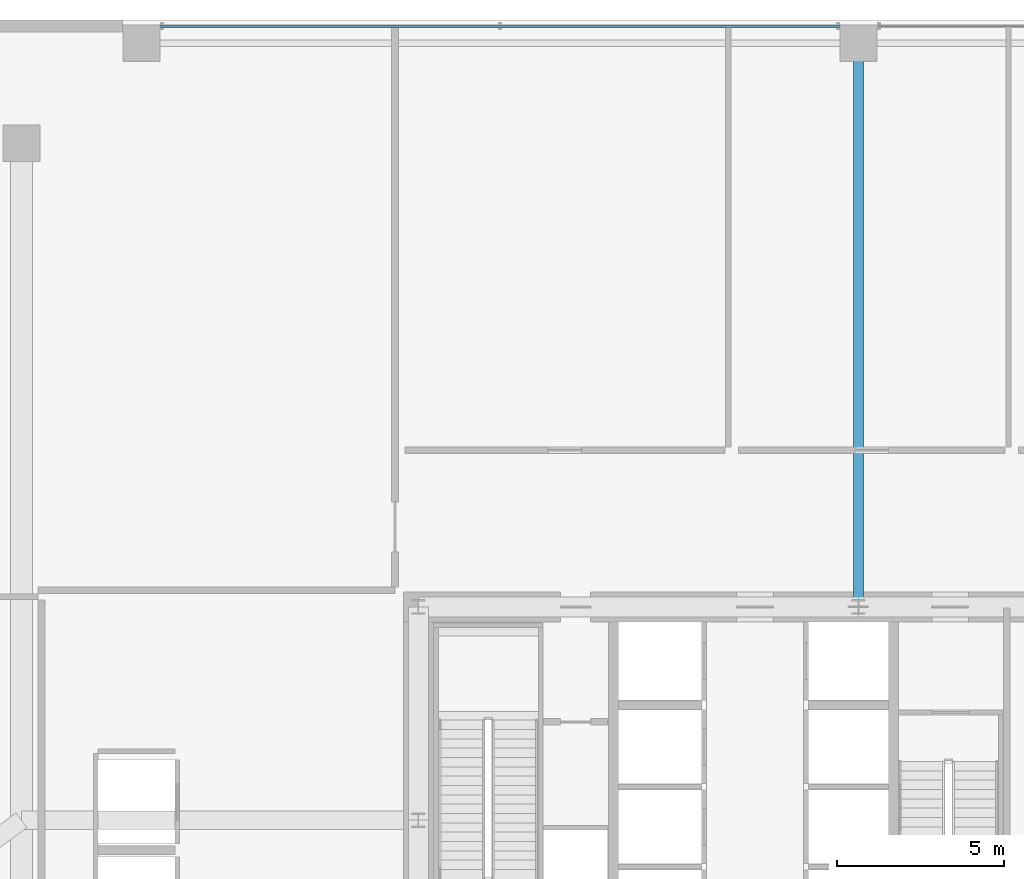
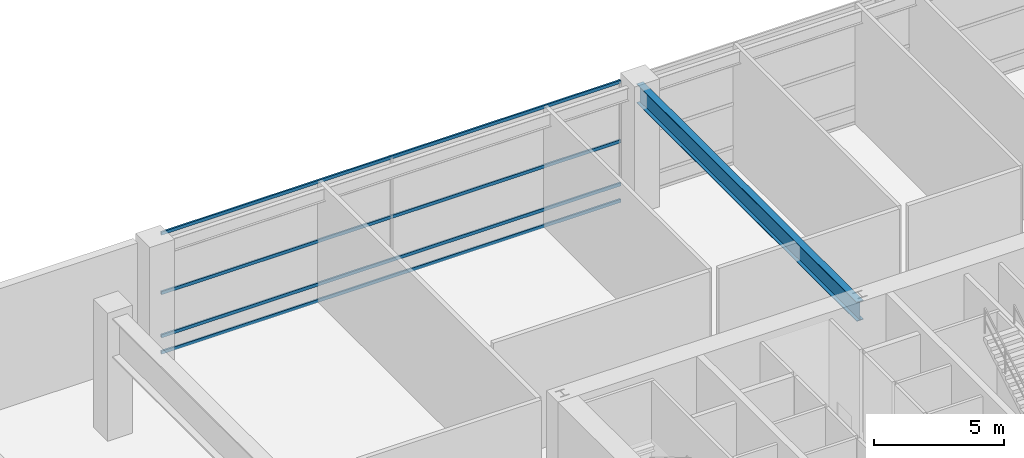
# One storey, part 22 of 39: 4 members, 1 beam, 1 element without a shape of its own.
"""IFC4 building model written with IfcOpenShell, lengths in metres."""

from ifc_helpers import new_model, si_unit, direction, frame, origin, origin_2d, place, context, subcontext, project, spatial, hollow_rectangle, i_section, extrude, source, transform, mapped, material, layer, layer_set, material_profile, profile_set, type_object, element, aggregate, save


model = new_model("IFC4")

# Units and contexts
model_context = context("Model", 3, precision=1e-05, world=origin(), true_north=direction((0.0, 1.0)))
body_context = subcontext(model_context, "Body", "Model", "MODEL_VIEW")
ifc_project = project(units=[si_unit("LENGTHUNIT", "METRE"), si_unit("AREAUNIT", "SQUARE_METRE"), si_unit("VOLUMEUNIT", "CUBIC_METRE"), si_unit("PLANEANGLEUNIT", "RADIAN"), si_unit("MASSUNIT", "GRAM", prefix="KILO"), si_unit("THERMODYNAMICTEMPERATUREUNIT", "KELVIN"), si_unit("POWERUNIT", "WATT")], contexts=[model_context])

# Site, building, storey
site_placement = place(None, origin())
site = spatial("IfcSite", under=ifc_project, at=site_placement, CompositionType="ELEMENT")
building_placement = place(site_placement, origin())
building = spatial("IfcBuilding", under=site, at=building_placement, Name="Yuzanri Waterfront Tower", CompositionType="ELEMENT")
storey_placement = place(building_placement, frame((0.0, 0.0, 19.800048828125)))
storey = spatial("IfcBuildingStorey", under=building, at=storey_placement, Name="L05", CompositionType="ELEMENT", Elevation=19.800048828125)

# Beam
ifc_material_1 = material(Name="Steel Q355B", Category="steel")
ifc_material_profile_1 = material_profile(ifc_material_1, i_section(OverallWidth=0.300048828125, OverallDepth=0.89990234375, WebThickness=0.01611328125, FlangeThickness=0.028076171875, at=origin_2d()), Name="HN 900x300x16x28")
ifc_profile_set_1 = profile_set([ifc_material_profile_1], Name="Steel Q355B")
beam_type = type_object("IfcBeamType", Name="Primary Podium Girder Q355B HN 900x300", PredefinedType="BEAM", material=ifc_profile_set_1)
shared_shape_1 = source(origin(), body_context, "Body", "SweptSolid", [
    extrude(i_section(OverallWidth=0.300048828125, OverallDepth=0.89990234375, WebThickness=0.01611328125, FlangeThickness=0.028076171875, at=origin_2d()), origin(), (0.0, 0.0, 1.0), 16.900146484375),
])
beam_placement = place(storey_placement, frame((37.0, 32.199951171875, 5.22998046875), z_axis=(0.0, 1.0, 0.0), x_axis=(-1.0, 0.0, 0.0)))
element("IfcBeam", 1, at=beam_placement, inside=storey, type_object=beam_type, Name="L05 North Core Link Girder", PredefinedType="BEAM", context=body_context, shape_type="MappedRepresentation", body=[
    mapped(shared_shape_1, transform((0.0, 0.0, 0.0), scale=1.0)),
])

# Curtain wall, members
ifc_material_2 = material(Name="Anodized Architectural Bronze", Category="metal")
ifc_layer = layer(ifc_material_2, 0.159912109375)
ifc_layer_set = layer_set([ifc_layer], Name="Anodized Architectural Bronze")
curtain_wall_type = type_object("IfcCurtainWallType", Name="Anodized Bronze Podium Waterfront Double-Height Unitized Curtain Wall 8400", PredefinedType="NOTDEFINED", material=ifc_layer_set)
curtain_wall_placement = place(storey_placement, origin())
curtain_wall = element("IfcCurtainWall", 2, at=curtain_wall_placement, inside=storey, type_object=curtain_wall_type, Name="L05 Curtain Wall CW-L05-N1", PredefinedType="NOTDEFINED")
ifc_material_3 = material(Name="Anodized Architectural Bronze", Category="metal")
ifc_material_profile_2 = material_profile(ifc_material_3, hollow_rectangle(XDim=0.074951171875, YDim=0.14990234375, WallThickness=0.00390625, at=origin_2d()), Name="CWT 75x150")
ifc_profile_set_2 = profile_set([ifc_material_profile_2], Name="Anodized Architectural Bronze")
member_type = type_object("IfcMemberType", Name="Anodized Bronze Primary Curtain-Wall Transom 75x150", PredefinedType="USERDEFINED", material=ifc_profile_set_2)
shared_shape_2 = source(origin(), body_context, "Body", "SweptSolid", [
    extrude(hollow_rectangle(XDim=0.074951171875, YDim=0.14990234375, WallThickness=0.00390625, at=origin_2d()), origin(), (0.0, 0.0, 1.0), 20.35986328125),
])
member_1_placement = place(storey_placement, frame((16.070068359375, 49.6201171875, 0.050048828125), z_axis=(1.0, 0.0, 0.0), x_axis=(0.0, 1.0, 0.0)))
member_1 = element("IfcMember", 3, at=member_1_placement, type_object=member_type, Name="CW-L05-N1 Transom 1", ObjectType="TRANSOM", PredefinedType="USERDEFINED", context=body_context, shape_type="MappedRepresentation", body=[
    mapped(shared_shape_2, transform((0.0, 0.0, 0.0), scale=1.0)),
])
member_2_placement = place(storey_placement, frame((16.070068359375, 49.6201171875, 0.820068359375), z_axis=(1.0, 0.0, 0.0), x_axis=(0.0, 1.0, 0.0)))
member_2 = element("IfcMember", 4, at=member_2_placement, type_object=member_type, Name="CW-L05-N1 Transom 2", ObjectType="TRANSOM", PredefinedType="USERDEFINED", context=body_context, shape_type="MappedRepresentation", body=[
    mapped(shared_shape_2, transform((0.0, 0.0, 0.0), scale=1.0)),
])
member_3_placement = place(storey_placement, frame((16.070068359375, 49.6201171875, 2.83984375), z_axis=(1.0, 0.0, 0.0), x_axis=(0.0, 1.0, 0.0)))
member_3 = element("IfcMember", 5, at=member_3_placement, type_object=member_type, Name="CW-L05-N1 Transom 3", ObjectType="TRANSOM", PredefinedType="USERDEFINED", context=body_context, shape_type="MappedRepresentation", body=[
    mapped(shared_shape_2, transform((0.0, 0.0, 0.0), scale=1.0)),
])
member_4_placement = place(storey_placement, frame((16.070068359375, 49.6201171875, 5.6298828125), z_axis=(1.0, 0.0, 0.0), x_axis=(0.0, 1.0, 0.0)))
member_4 = element("IfcMember", 6, at=member_4_placement, type_object=member_type, Name="CW-L05-N1 Transom 4", ObjectType="TRANSOM", PredefinedType="USERDEFINED", context=body_context, shape_type="MappedRepresentation", body=[
    mapped(shared_shape_2, transform((0.0, 0.0, 0.0), scale=1.0)),
])
aggregate(curtain_wall, [member_1, member_2, member_3, member_4])

save(model, "model.ifc")
